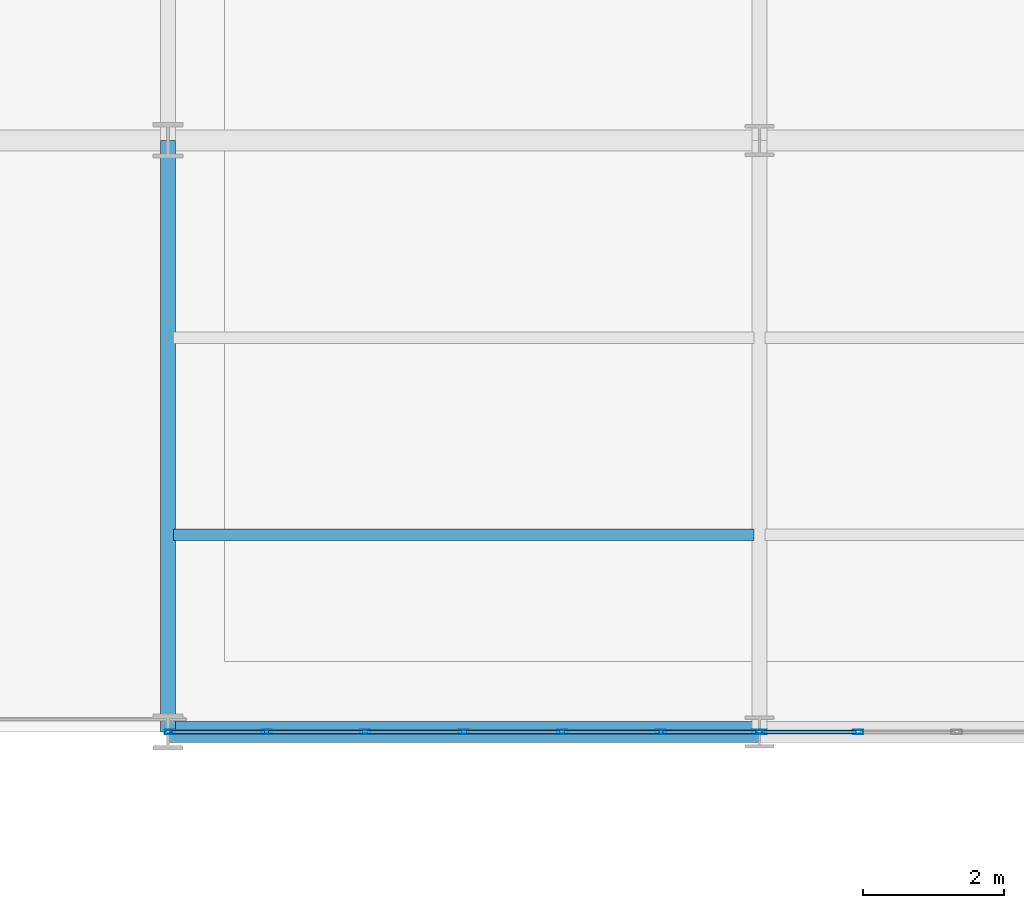
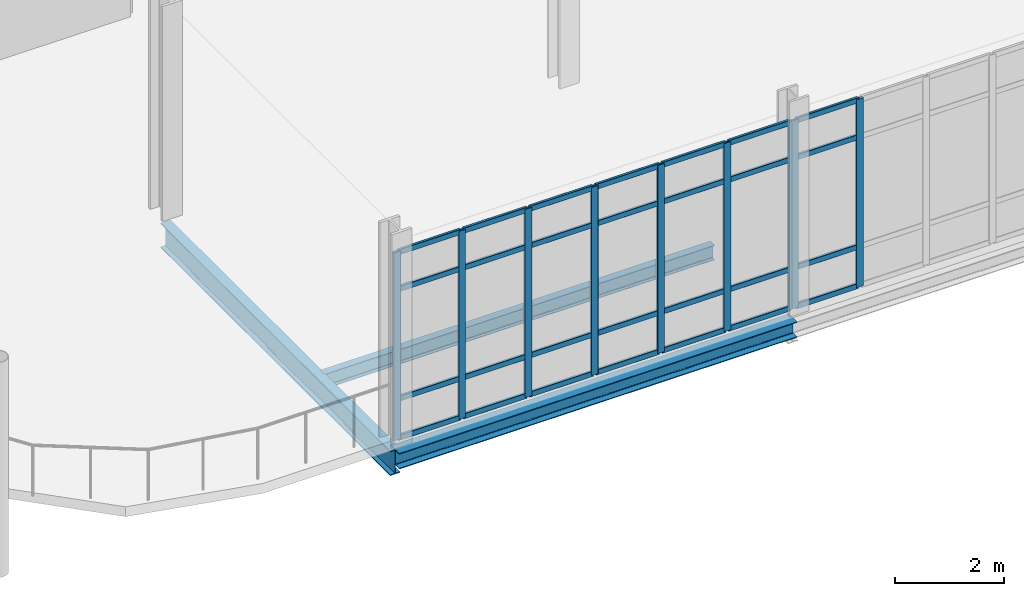
# One storey, part 72 of 145: 37 members, 3 beams, 2 elements without a shape of their own.
"""IFC4 building model written with IfcOpenShell, lengths in metres."""

from ifc_helpers import new_model, si_unit, direction, frame, origin, origin_2d, place, context, subcontext, project, spatial, hollow_rectangle, i_section, extrude, material, layer, layer_set, material_profile, profile_set, type_object, element, aggregate, save


model = new_model("IFC4")

# Units and contexts
model_context = context("Model", 3, precision=1e-05, world=origin(), true_north=direction((0.0, 1.0)))
body_context = subcontext(model_context, "Body", "Model", "MODEL_VIEW")
ifc_project = project(units=[si_unit("LENGTHUNIT", "METRE"), si_unit("AREAUNIT", "SQUARE_METRE"), si_unit("VOLUMEUNIT", "CUBIC_METRE"), si_unit("PLANEANGLEUNIT", "RADIAN"), si_unit("MASSUNIT", "GRAM", prefix="KILO")], contexts=[model_context])

# Site, building, storey
site_placement = place(None, origin())
site = spatial("IfcSite", under=ifc_project, at=site_placement, CompositionType="ELEMENT")
building_placement = place(site_placement, origin())
building = spatial("IfcBuilding", under=site, at=building_placement, Name="Qalvenar Corner Mobility Hub", CompositionType="ELEMENT")
storey_placement = place(building_placement, origin())
storey = spatial("IfcBuildingStorey", under=building, at=storey_placement, Name="L00", CompositionType="ELEMENT", Elevation=0.0)

# Beams
ifc_material_1 = material(Name="Steel S355", Category="steel")
ifc_material_profile_1 = material_profile(ifc_material_1, i_section(OverallWidth=0.2099609375, OverallDepth=0.550048828125, WebThickness=0.010986328125, FlangeThickness=0.01708984375, FilletRadius=0.02392578125, at=origin_2d()), Name="IPE550")
ifc_profile_set_1 = profile_set([ifc_material_profile_1], Name="Steel S355")
beam_type_1 = type_object("IfcBeamType", Name="BM-IPE550", PredefinedType="BEAM", material=ifc_profile_set_1)
beam_1_placement = place(storey_placement, frame((67.199951171875, 67.199951171875, -0.4951171875), z_axis=(0.0, 1.0, 0.0), x_axis=(-1.0, 0.0, 0.0)))
element("IfcBeam", 1, at=beam_1_placement, inside=storey, type_object=beam_type_1, Name="Primary Steel Girder GY-0593", PredefinedType="BEAM", context=body_context, shape_type="SweptSolid", body=[
    extrude(i_section(OverallWidth=0.2099609375, OverallDepth=0.550048828125, WebThickness=0.010986328125, FlangeThickness=0.01708984375, FilletRadius=0.02392578125, at=origin_2d()), origin(), (0.0, 0.0, 1.0), 8.400146484375),
])
ifc_material_profile_2 = material_profile(ifc_material_1, i_section(OverallWidth=0.159912109375, OverallDepth=0.330078125, WebThickness=0.007568359375, FlangeThickness=0.011474609375, FilletRadius=0.01806640625, at=origin_2d()), Name="IPE330")
ifc_profile_set_2 = profile_set([ifc_material_profile_2], Name="Steel S355")
beam_type_2 = type_object("IfcBeamType", Name="BM-JST330", PredefinedType="JOIST", material=ifc_profile_set_2)
beam_2_placement = place(storey_placement, frame((67.278076171875, 70.0, -0.385009765625), z_axis=(1.0, 0.0, 0.0), x_axis=(0.0, 1.0, 0.0)))
element("IfcBeam", 2, at=beam_2_placement, inside=storey, type_object=beam_type_2, Name="Composite Floor Joist J-0657", PredefinedType="JOIST", context=body_context, shape_type="SweptSolid", body=[
    extrude(i_section(OverallWidth=0.159912109375, OverallDepth=0.330078125, WebThickness=0.007568359375, FlangeThickness=0.011474609375, FilletRadius=0.01806640625, at=origin_2d()), origin(), (0.0, 0.0, 1.0), 8.243896484375),
])
ifc_material_profile_3 = material_profile(ifc_material_1, i_section(OverallWidth=0.300048828125, OverallDepth=0.35009765625, WebThickness=0.010009765625, FlangeThickness=0.017578125, FilletRadius=0.027099609375, at=origin_2d()), Name="HEA360")
ifc_profile_set_3 = profile_set([ifc_material_profile_3], Name="Steel S355")
beam_type_3 = type_object("IfcBeamType", Name="BM-SPN360", PredefinedType="SPANDREL", material=ifc_profile_set_3)
beam_3_placement = place(storey_placement, frame((67.199951171875, 67.199951171875, -0.39501953125), z_axis=(1.0, 0.0, 0.0), x_axis=(0.0, 1.0, 0.0)))
element("IfcBeam", 3, at=beam_3_placement, inside=storey, type_object=beam_type_3, Name="Primary Steel Girder GX-0523", PredefinedType="SPANDREL", context=body_context, shape_type="SweptSolid", body=[
    extrude(i_section(OverallWidth=0.300048828125, OverallDepth=0.35009765625, WebThickness=0.010009765625, FlangeThickness=0.017578125, FilletRadius=0.027099609375, at=origin_2d()), origin(), (0.0, 0.0, 1.0), 8.400146484375),
])

# Curtain wall, members
ifc_material_2 = material(Name="Anodised Aluminium and Low-E Glazing", Category="aluminium")
ifc_layer = layer(ifc_material_2, 0.14990234375)
ifc_layer_set = layer_set([ifc_layer], Name="Anodised Aluminium and Low-E Glazing")
curtain_wall_type = type_object("IfcCurtainWallType", Name="CW-MOB-84X46", PredefinedType="NOTDEFINED", material=ifc_layer_set)
curtain_wall_1_placement = place(storey_placement, origin())
curtain_wall_1 = element("IfcCurtainWall", 4, at=curtain_wall_1_placement, inside=storey, type_object=curtain_wall_type, Name="Glazed Curtain Wall CW-V4-L00-S1", PredefinedType="NOTDEFINED")
ifc_material_3 = material(Name="Anodised Aluminium 6063-T6", Category="aluminium")
ifc_material_profile_4 = material_profile(ifc_material_3, hollow_rectangle(XDim=0.06005859375, YDim=0.14990234375, WallThickness=0.00390625, InnerFilletRadius=0.00390625, OuterFilletRadius=0.008056640625, at=origin_2d()), Name="RHS150x60x4")
ifc_profile_set_4 = profile_set([ifc_material_profile_4], Name="Anodised Aluminium 6063-T6")
member_type_1 = type_object("IfcMemberType", Name="CW-MUL150", PredefinedType="MULLION", material=ifc_profile_set_4)
member_1_placement = place(storey_placement, frame((67.22998046875, 67.199951171875, 0.0), z_axis=(0.0, 0.0, 1.0), x_axis=(0.0, 1.0, 0.0)))
member_1 = element("IfcMember", 5, at=member_1_placement, type_object=member_type_1, Name="CW-03 mullion 1", PredefinedType="MULLION", context=body_context, shape_type="SweptSolid", body=[
    extrude(hollow_rectangle(XDim=0.06005859375, YDim=0.14990234375, WallThickness=0.00390625, InnerFilletRadius=0.00390625, OuterFilletRadius=0.008056640625, at=origin_2d()), origin(), (0.0, 0.0, 1.0), 4.199951171875),
])
member_2_placement = place(storey_placement, frame((68.60009765625, 67.199951171875, 0.0), z_axis=(0.0, 0.0, 1.0), x_axis=(0.0, 1.0, 0.0)))
member_2 = element("IfcMember", 6, at=member_2_placement, type_object=member_type_1, Name="CW-03 mullion 2", PredefinedType="MULLION", context=body_context, shape_type="SweptSolid", body=[
    extrude(hollow_rectangle(XDim=0.06005859375, YDim=0.14990234375, WallThickness=0.00390625, InnerFilletRadius=0.00390625, OuterFilletRadius=0.008056640625, at=origin_2d()), origin(), (0.0, 0.0, 1.0), 4.199951171875),
])
member_3_placement = place(storey_placement, frame((70.0, 67.199951171875, 0.0), z_axis=(0.0, 0.0, 1.0), x_axis=(0.0, 1.0, 0.0)))
member_3 = element("IfcMember", 7, at=member_3_placement, type_object=member_type_1, Name="CW-03 mullion 3", PredefinedType="MULLION", context=body_context, shape_type="SweptSolid", body=[
    extrude(hollow_rectangle(XDim=0.06005859375, YDim=0.14990234375, WallThickness=0.00390625, InnerFilletRadius=0.00390625, OuterFilletRadius=0.008056640625, at=origin_2d()), origin(), (0.0, 0.0, 1.0), 4.199951171875),
])
member_4_placement = place(storey_placement, frame((71.39990234375, 67.199951171875, 0.0), z_axis=(0.0, 0.0, 1.0), x_axis=(0.0, 1.0, 0.0)))
member_4 = element("IfcMember", 8, at=member_4_placement, type_object=member_type_1, Name="CW-03 mullion 4", PredefinedType="MULLION", context=body_context, shape_type="SweptSolid", body=[
    extrude(hollow_rectangle(XDim=0.06005859375, YDim=0.14990234375, WallThickness=0.00390625, InnerFilletRadius=0.00390625, OuterFilletRadius=0.008056640625, at=origin_2d()), origin(), (0.0, 0.0, 1.0), 4.199951171875),
])
member_5_placement = place(storey_placement, frame((72.800048828125, 67.199951171875, 0.0), z_axis=(0.0, 0.0, 1.0), x_axis=(0.0, 1.0, 0.0)))
member_5 = element("IfcMember", 9, at=member_5_placement, type_object=member_type_1, Name="CW-03 mullion 5", PredefinedType="MULLION", context=body_context, shape_type="SweptSolid", body=[
    extrude(hollow_rectangle(XDim=0.06005859375, YDim=0.14990234375, WallThickness=0.00390625, InnerFilletRadius=0.00390625, OuterFilletRadius=0.008056640625, at=origin_2d()), origin(), (0.0, 0.0, 1.0), 4.199951171875),
])
member_6_placement = place(storey_placement, frame((74.199951171875, 67.199951171875, 0.0), z_axis=(0.0, 0.0, 1.0), x_axis=(0.0, 1.0, 0.0)))
member_6 = element("IfcMember", 10, at=member_6_placement, type_object=member_type_1, Name="CW-03 mullion 6", PredefinedType="MULLION", context=body_context, shape_type="SweptSolid", body=[
    extrude(hollow_rectangle(XDim=0.06005859375, YDim=0.14990234375, WallThickness=0.00390625, InnerFilletRadius=0.00390625, OuterFilletRadius=0.008056640625, at=origin_2d()), origin(), (0.0, 0.0, 1.0), 4.199951171875),
])
member_7_placement = place(storey_placement, frame((75.570068359375, 67.199951171875, 0.0), z_axis=(0.0, 0.0, 1.0), x_axis=(0.0, 1.0, 0.0)))
member_7 = element("IfcMember", 11, at=member_7_placement, type_object=member_type_1, Name="CW-03 mullion 7", PredefinedType="MULLION", context=body_context, shape_type="SweptSolid", body=[
    extrude(hollow_rectangle(XDim=0.06005859375, YDim=0.14990234375, WallThickness=0.00390625, InnerFilletRadius=0.00390625, OuterFilletRadius=0.008056640625, at=origin_2d()), origin(), (0.0, 0.0, 1.0), 4.199951171875),
])

curtain_wall_2_placement = place(storey_placement, origin())
curtain_wall_2 = element("IfcCurtainWall", 12, at=curtain_wall_2_placement, inside=storey, type_object=curtain_wall_type, Name="Glazed Curtain Wall CW-V4-L00-S2", PredefinedType="NOTDEFINED")
member_8_placement = place(storey_placement, frame((75.6298828125, 67.199951171875, 0.0), z_axis=(0.0, 0.0, 1.0), x_axis=(0.0, 1.0, 0.0)))
member_8 = element("IfcMember", 13, at=member_8_placement, type_object=member_type_1, Name="CW-03 mullion 1", PredefinedType="MULLION", context=body_context, shape_type="SweptSolid", body=[
    extrude(hollow_rectangle(XDim=0.06005859375, YDim=0.14990234375, WallThickness=0.00390625, InnerFilletRadius=0.00390625, OuterFilletRadius=0.008056640625, at=origin_2d()), origin(), (0.0, 0.0, 1.0), 4.199951171875),
])
member_9_placement = place(storey_placement, frame((77.0, 67.199951171875, 0.0), z_axis=(0.0, 0.0, 1.0), x_axis=(0.0, 1.0, 0.0)))
member_9 = element("IfcMember", 14, at=member_9_placement, type_object=member_type_1, Name="CW-03 mullion 2", PredefinedType="MULLION", context=body_context, shape_type="SweptSolid", body=[
    extrude(hollow_rectangle(XDim=0.06005859375, YDim=0.14990234375, WallThickness=0.00390625, InnerFilletRadius=0.00390625, OuterFilletRadius=0.008056640625, at=origin_2d()), origin(), (0.0, 0.0, 1.0), 4.199951171875),
])

# Member
ifc_material_profile_5 = material_profile(ifc_material_3, hollow_rectangle(XDim=0.054931640625, YDim=0.1201171875, WallThickness=0.00341796875, InnerFilletRadius=0.00341796875, OuterFilletRadius=0.007080078125, at=origin_2d()), Name="RHS120x55x3.5")
ifc_profile_set_5 = profile_set([ifc_material_profile_5], Name="Anodised Aluminium 6063-T6")
member_type_2 = type_object("IfcMemberType", Name="CW-TRN120", PredefinedType="USERDEFINED", material=ifc_profile_set_5)
member_10_placement = place(storey_placement, frame((67.260009765625, 67.199951171875, 0.027587890625), z_axis=(1.0, 0.0, 0.0), x_axis=(0.0, 1.0, 0.0)))
member_10 = element("IfcMember", 15, at=member_10_placement, type_object=member_type_2, Name="CW-03 transom 1.1", ObjectType="TRANSOM", PredefinedType="USERDEFINED", context=body_context, shape_type="SweptSolid", body=[
    extrude(hollow_rectangle(XDim=0.054931640625, YDim=0.1201171875, WallThickness=0.00341796875, InnerFilletRadius=0.00341796875, OuterFilletRadius=0.007080078125, at=origin_2d()), origin(), (0.0, 0.0, 1.0), 1.31005859375),
])

member_11_placement = place(storey_placement, frame((67.260009765625, 67.199951171875, 0.89990234375), z_axis=(1.0, 0.0, 0.0), x_axis=(0.0, 1.0, 0.0)))
member_11 = element("IfcMember", 16, at=member_11_placement, type_object=member_type_2, Name="CW-03 transom 1.2", ObjectType="TRANSOM", PredefinedType="USERDEFINED", context=body_context, shape_type="SweptSolid", body=[
    extrude(hollow_rectangle(XDim=0.054931640625, YDim=0.1201171875, WallThickness=0.00341796875, InnerFilletRadius=0.00341796875, OuterFilletRadius=0.007080078125, at=origin_2d()), origin(), (0.0, 0.0, 1.0), 1.31005859375),
])

member_12_placement = place(storey_placement, frame((67.260009765625, 67.199951171875, 3.35009765625), z_axis=(1.0, 0.0, 0.0), x_axis=(0.0, 1.0, 0.0)))
member_12 = element("IfcMember", 17, at=member_12_placement, type_object=member_type_2, Name="CW-03 transom 1.3", ObjectType="TRANSOM", PredefinedType="USERDEFINED", context=body_context, shape_type="SweptSolid", body=[
    extrude(hollow_rectangle(XDim=0.054931640625, YDim=0.1201171875, WallThickness=0.00341796875, InnerFilletRadius=0.00341796875, OuterFilletRadius=0.007080078125, at=origin_2d()), origin(), (0.0, 0.0, 1.0), 1.31005859375),
])

member_13_placement = place(storey_placement, frame((67.260009765625, 67.199951171875, 4.172607421875), z_axis=(1.0, 0.0, 0.0), x_axis=(0.0, 1.0, 0.0)))
member_13 = element("IfcMember", 18, at=member_13_placement, type_object=member_type_2, Name="CW-03 transom 1.4", ObjectType="TRANSOM", PredefinedType="USERDEFINED", context=body_context, shape_type="SweptSolid", body=[
    extrude(hollow_rectangle(XDim=0.054931640625, YDim=0.1201171875, WallThickness=0.00341796875, InnerFilletRadius=0.00341796875, OuterFilletRadius=0.007080078125, at=origin_2d()), origin(), (0.0, 0.0, 1.0), 1.31005859375),
])

member_14_placement = place(storey_placement, frame((68.6298828125, 67.199951171875, 0.027587890625), z_axis=(1.0, 0.0, 0.0), x_axis=(0.0, 1.0, 0.0)))
member_14 = element("IfcMember", 19, at=member_14_placement, type_object=member_type_2, Name="CW-03 transom 2.1", ObjectType="TRANSOM", PredefinedType="USERDEFINED", context=body_context, shape_type="SweptSolid", body=[
    extrude(hollow_rectangle(XDim=0.054931640625, YDim=0.1201171875, WallThickness=0.00341796875, InnerFilletRadius=0.00341796875, OuterFilletRadius=0.007080078125, at=origin_2d()), origin(), (0.0, 0.0, 1.0), 1.340087890625),
])

member_15_placement = place(storey_placement, frame((68.6298828125, 67.199951171875, 0.89990234375), z_axis=(1.0, 0.0, 0.0), x_axis=(0.0, 1.0, 0.0)))
member_15 = element("IfcMember", 20, at=member_15_placement, type_object=member_type_2, Name="CW-03 transom 2.2", ObjectType="TRANSOM", PredefinedType="USERDEFINED", context=body_context, shape_type="SweptSolid", body=[
    extrude(hollow_rectangle(XDim=0.054931640625, YDim=0.1201171875, WallThickness=0.00341796875, InnerFilletRadius=0.00341796875, OuterFilletRadius=0.007080078125, at=origin_2d()), origin(), (0.0, 0.0, 1.0), 1.340087890625),
])

member_16_placement = place(storey_placement, frame((68.6298828125, 67.199951171875, 3.35009765625), z_axis=(1.0, 0.0, 0.0), x_axis=(0.0, 1.0, 0.0)))
member_16 = element("IfcMember", 21, at=member_16_placement, type_object=member_type_2, Name="CW-03 transom 2.3", ObjectType="TRANSOM", PredefinedType="USERDEFINED", context=body_context, shape_type="SweptSolid", body=[
    extrude(hollow_rectangle(XDim=0.054931640625, YDim=0.1201171875, WallThickness=0.00341796875, InnerFilletRadius=0.00341796875, OuterFilletRadius=0.007080078125, at=origin_2d()), origin(), (0.0, 0.0, 1.0), 1.340087890625),
])

member_17_placement = place(storey_placement, frame((68.6298828125, 67.199951171875, 4.172607421875), z_axis=(1.0, 0.0, 0.0), x_axis=(0.0, 1.0, 0.0)))
member_17 = element("IfcMember", 22, at=member_17_placement, type_object=member_type_2, Name="CW-03 transom 2.4", ObjectType="TRANSOM", PredefinedType="USERDEFINED", context=body_context, shape_type="SweptSolid", body=[
    extrude(hollow_rectangle(XDim=0.054931640625, YDim=0.1201171875, WallThickness=0.00341796875, InnerFilletRadius=0.00341796875, OuterFilletRadius=0.007080078125, at=origin_2d()), origin(), (0.0, 0.0, 1.0), 1.340087890625),
])

member_18_placement = place(storey_placement, frame((70.030029296875, 67.199951171875, 0.027587890625), z_axis=(1.0, 0.0, 0.0), x_axis=(0.0, 1.0, 0.0)))
member_18 = element("IfcMember", 23, at=member_18_placement, type_object=member_type_2, Name="CW-03 transom 3.1", ObjectType="TRANSOM", PredefinedType="USERDEFINED", context=body_context, shape_type="SweptSolid", body=[
    extrude(hollow_rectangle(XDim=0.054931640625, YDim=0.1201171875, WallThickness=0.00341796875, InnerFilletRadius=0.00341796875, OuterFilletRadius=0.007080078125, at=origin_2d()), origin(), (0.0, 0.0, 1.0), 1.340087890625),
])

member_19_placement = place(storey_placement, frame((70.030029296875, 67.199951171875, 0.89990234375), z_axis=(1.0, 0.0, 0.0), x_axis=(0.0, 1.0, 0.0)))
member_19 = element("IfcMember", 24, at=member_19_placement, type_object=member_type_2, Name="CW-03 transom 3.2", ObjectType="TRANSOM", PredefinedType="USERDEFINED", context=body_context, shape_type="SweptSolid", body=[
    extrude(hollow_rectangle(XDim=0.054931640625, YDim=0.1201171875, WallThickness=0.00341796875, InnerFilletRadius=0.00341796875, OuterFilletRadius=0.007080078125, at=origin_2d()), origin(), (0.0, 0.0, 1.0), 1.340087890625),
])

member_20_placement = place(storey_placement, frame((70.030029296875, 67.199951171875, 3.35009765625), z_axis=(1.0, 0.0, 0.0), x_axis=(0.0, 1.0, 0.0)))
member_20 = element("IfcMember", 25, at=member_20_placement, type_object=member_type_2, Name="CW-03 transom 3.3", ObjectType="TRANSOM", PredefinedType="USERDEFINED", context=body_context, shape_type="SweptSolid", body=[
    extrude(hollow_rectangle(XDim=0.054931640625, YDim=0.1201171875, WallThickness=0.00341796875, InnerFilletRadius=0.00341796875, OuterFilletRadius=0.007080078125, at=origin_2d()), origin(), (0.0, 0.0, 1.0), 1.340087890625),
])

member_21_placement = place(storey_placement, frame((70.030029296875, 67.199951171875, 4.172607421875), z_axis=(1.0, 0.0, 0.0), x_axis=(0.0, 1.0, 0.0)))
member_21 = element("IfcMember", 26, at=member_21_placement, type_object=member_type_2, Name="CW-03 transom 3.4", ObjectType="TRANSOM", PredefinedType="USERDEFINED", context=body_context, shape_type="SweptSolid", body=[
    extrude(hollow_rectangle(XDim=0.054931640625, YDim=0.1201171875, WallThickness=0.00341796875, InnerFilletRadius=0.00341796875, OuterFilletRadius=0.007080078125, at=origin_2d()), origin(), (0.0, 0.0, 1.0), 1.340087890625),
])

member_22_placement = place(storey_placement, frame((71.429931640625, 67.199951171875, 0.027587890625), z_axis=(1.0, 0.0, 0.0), x_axis=(0.0, 1.0, 0.0)))
member_22 = element("IfcMember", 27, at=member_22_placement, type_object=member_type_2, Name="CW-03 transom 4.1", ObjectType="TRANSOM", PredefinedType="USERDEFINED", context=body_context, shape_type="SweptSolid", body=[
    extrude(hollow_rectangle(XDim=0.054931640625, YDim=0.1201171875, WallThickness=0.00341796875, InnerFilletRadius=0.00341796875, OuterFilletRadius=0.007080078125, at=origin_2d()), origin(), (0.0, 0.0, 1.0), 1.340087890625),
])

member_23_placement = place(storey_placement, frame((71.429931640625, 67.199951171875, 0.89990234375), z_axis=(1.0, 0.0, 0.0), x_axis=(0.0, 1.0, 0.0)))
member_23 = element("IfcMember", 28, at=member_23_placement, type_object=member_type_2, Name="CW-03 transom 4.2", ObjectType="TRANSOM", PredefinedType="USERDEFINED", context=body_context, shape_type="SweptSolid", body=[
    extrude(hollow_rectangle(XDim=0.054931640625, YDim=0.1201171875, WallThickness=0.00341796875, InnerFilletRadius=0.00341796875, OuterFilletRadius=0.007080078125, at=origin_2d()), origin(), (0.0, 0.0, 1.0), 1.340087890625),
])

member_24_placement = place(storey_placement, frame((71.429931640625, 67.199951171875, 3.35009765625), z_axis=(1.0, 0.0, 0.0), x_axis=(0.0, 1.0, 0.0)))
member_24 = element("IfcMember", 29, at=member_24_placement, type_object=member_type_2, Name="CW-03 transom 4.3", ObjectType="TRANSOM", PredefinedType="USERDEFINED", context=body_context, shape_type="SweptSolid", body=[
    extrude(hollow_rectangle(XDim=0.054931640625, YDim=0.1201171875, WallThickness=0.00341796875, InnerFilletRadius=0.00341796875, OuterFilletRadius=0.007080078125, at=origin_2d()), origin(), (0.0, 0.0, 1.0), 1.340087890625),
])

member_25_placement = place(storey_placement, frame((71.429931640625, 67.199951171875, 4.172607421875), z_axis=(1.0, 0.0, 0.0), x_axis=(0.0, 1.0, 0.0)))
member_25 = element("IfcMember", 30, at=member_25_placement, type_object=member_type_2, Name="CW-03 transom 4.4", ObjectType="TRANSOM", PredefinedType="USERDEFINED", context=body_context, shape_type="SweptSolid", body=[
    extrude(hollow_rectangle(XDim=0.054931640625, YDim=0.1201171875, WallThickness=0.00341796875, InnerFilletRadius=0.00341796875, OuterFilletRadius=0.007080078125, at=origin_2d()), origin(), (0.0, 0.0, 1.0), 1.340087890625),
])

member_26_placement = place(storey_placement, frame((72.830078125, 67.199951171875, 0.027587890625), z_axis=(1.0, 0.0, 0.0), x_axis=(0.0, 1.0, 0.0)))
member_26 = element("IfcMember", 31, at=member_26_placement, type_object=member_type_2, Name="CW-03 transom 5.1", ObjectType="TRANSOM", PredefinedType="USERDEFINED", context=body_context, shape_type="SweptSolid", body=[
    extrude(hollow_rectangle(XDim=0.054931640625, YDim=0.1201171875, WallThickness=0.00341796875, InnerFilletRadius=0.00341796875, OuterFilletRadius=0.007080078125, at=origin_2d()), origin(), (0.0, 0.0, 1.0), 1.33984375),
])

member_27_placement = place(storey_placement, frame((72.830078125, 67.199951171875, 0.89990234375), z_axis=(1.0, 0.0, 0.0), x_axis=(0.0, 1.0, 0.0)))
member_27 = element("IfcMember", 32, at=member_27_placement, type_object=member_type_2, Name="CW-03 transom 5.2", ObjectType="TRANSOM", PredefinedType="USERDEFINED", context=body_context, shape_type="SweptSolid", body=[
    extrude(hollow_rectangle(XDim=0.054931640625, YDim=0.1201171875, WallThickness=0.00341796875, InnerFilletRadius=0.00341796875, OuterFilletRadius=0.007080078125, at=origin_2d()), origin(), (0.0, 0.0, 1.0), 1.33984375),
])

member_28_placement = place(storey_placement, frame((72.830078125, 67.199951171875, 3.35009765625), z_axis=(1.0, 0.0, 0.0), x_axis=(0.0, 1.0, 0.0)))
member_28 = element("IfcMember", 33, at=member_28_placement, type_object=member_type_2, Name="CW-03 transom 5.3", ObjectType="TRANSOM", PredefinedType="USERDEFINED", context=body_context, shape_type="SweptSolid", body=[
    extrude(hollow_rectangle(XDim=0.054931640625, YDim=0.1201171875, WallThickness=0.00341796875, InnerFilletRadius=0.00341796875, OuterFilletRadius=0.007080078125, at=origin_2d()), origin(), (0.0, 0.0, 1.0), 1.33984375),
])

member_29_placement = place(storey_placement, frame((72.830078125, 67.199951171875, 4.172607421875), z_axis=(1.0, 0.0, 0.0), x_axis=(0.0, 1.0, 0.0)))
member_29 = element("IfcMember", 34, at=member_29_placement, type_object=member_type_2, Name="CW-03 transom 5.4", ObjectType="TRANSOM", PredefinedType="USERDEFINED", context=body_context, shape_type="SweptSolid", body=[
    extrude(hollow_rectangle(XDim=0.054931640625, YDim=0.1201171875, WallThickness=0.00341796875, InnerFilletRadius=0.00341796875, OuterFilletRadius=0.007080078125, at=origin_2d()), origin(), (0.0, 0.0, 1.0), 1.33984375),
])

member_30_placement = place(storey_placement, frame((74.22998046875, 67.199951171875, 0.027587890625), z_axis=(1.0, 0.0, 0.0), x_axis=(0.0, 1.0, 0.0)))
member_30 = element("IfcMember", 35, at=member_30_placement, type_object=member_type_2, Name="CW-03 transom 6.1", ObjectType="TRANSOM", PredefinedType="USERDEFINED", context=body_context, shape_type="SweptSolid", body=[
    extrude(hollow_rectangle(XDim=0.054931640625, YDim=0.1201171875, WallThickness=0.00341796875, InnerFilletRadius=0.00341796875, OuterFilletRadius=0.007080078125, at=origin_2d()), origin(), (0.0, 0.0, 1.0), 1.31005859375),
])

member_31_placement = place(storey_placement, frame((74.22998046875, 67.199951171875, 0.89990234375), z_axis=(1.0, 0.0, 0.0), x_axis=(0.0, 1.0, 0.0)))
member_31 = element("IfcMember", 36, at=member_31_placement, type_object=member_type_2, Name="CW-03 transom 6.2", ObjectType="TRANSOM", PredefinedType="USERDEFINED", context=body_context, shape_type="SweptSolid", body=[
    extrude(hollow_rectangle(XDim=0.054931640625, YDim=0.1201171875, WallThickness=0.00341796875, InnerFilletRadius=0.00341796875, OuterFilletRadius=0.007080078125, at=origin_2d()), origin(), (0.0, 0.0, 1.0), 1.31005859375),
])

member_32_placement = place(storey_placement, frame((74.22998046875, 67.199951171875, 3.35009765625), z_axis=(1.0, 0.0, 0.0), x_axis=(0.0, 1.0, 0.0)))
member_32 = element("IfcMember", 37, at=member_32_placement, type_object=member_type_2, Name="CW-03 transom 6.3", ObjectType="TRANSOM", PredefinedType="USERDEFINED", context=body_context, shape_type="SweptSolid", body=[
    extrude(hollow_rectangle(XDim=0.054931640625, YDim=0.1201171875, WallThickness=0.00341796875, InnerFilletRadius=0.00341796875, OuterFilletRadius=0.007080078125, at=origin_2d()), origin(), (0.0, 0.0, 1.0), 1.31005859375),
])

member_33_placement = place(storey_placement, frame((74.22998046875, 67.199951171875, 4.172607421875), z_axis=(1.0, 0.0, 0.0), x_axis=(0.0, 1.0, 0.0)))
member_33 = element("IfcMember", 38, at=member_33_placement, type_object=member_type_2, Name="CW-03 transom 6.4", ObjectType="TRANSOM", PredefinedType="USERDEFINED", context=body_context, shape_type="SweptSolid", body=[
    extrude(hollow_rectangle(XDim=0.054931640625, YDim=0.1201171875, WallThickness=0.00341796875, InnerFilletRadius=0.00341796875, OuterFilletRadius=0.007080078125, at=origin_2d()), origin(), (0.0, 0.0, 1.0), 1.31005859375),
])

aggregate(curtain_wall_1, [member_1, member_2, member_3, member_4, member_5, member_6, member_7, member_10, member_11, member_12, member_13, member_14, member_15, member_16, member_17, member_18, member_19, member_20, member_21, member_22, member_23, member_24, member_25, member_26, member_27, member_28, member_29, member_30, member_31, member_32, member_33])

member_34_placement = place(storey_placement, frame((75.659912109375, 67.199951171875, 0.027587890625), z_axis=(1.0, 0.0, 0.0), x_axis=(0.0, 1.0, 0.0)))
member_34 = element("IfcMember", 39, at=member_34_placement, type_object=member_type_2, Name="CW-03 transom 1.1", ObjectType="TRANSOM", PredefinedType="USERDEFINED", context=body_context, shape_type="SweptSolid", body=[
    extrude(hollow_rectangle(XDim=0.054931640625, YDim=0.1201171875, WallThickness=0.00341796875, InnerFilletRadius=0.00341796875, OuterFilletRadius=0.007080078125, at=origin_2d()), origin(), (0.0, 0.0, 1.0), 1.31005859375),
])

member_35_placement = place(storey_placement, frame((75.659912109375, 67.199951171875, 0.89990234375), z_axis=(1.0, 0.0, 0.0), x_axis=(0.0, 1.0, 0.0)))
member_35 = element("IfcMember", 40, at=member_35_placement, type_object=member_type_2, Name="CW-03 transom 1.2", ObjectType="TRANSOM", PredefinedType="USERDEFINED", context=body_context, shape_type="SweptSolid", body=[
    extrude(hollow_rectangle(XDim=0.054931640625, YDim=0.1201171875, WallThickness=0.00341796875, InnerFilletRadius=0.00341796875, OuterFilletRadius=0.007080078125, at=origin_2d()), origin(), (0.0, 0.0, 1.0), 1.31005859375),
])

member_36_placement = place(storey_placement, frame((75.659912109375, 67.199951171875, 3.35009765625), z_axis=(1.0, 0.0, 0.0), x_axis=(0.0, 1.0, 0.0)))
member_36 = element("IfcMember", 41, at=member_36_placement, type_object=member_type_2, Name="CW-03 transom 1.3", ObjectType="TRANSOM", PredefinedType="USERDEFINED", context=body_context, shape_type="SweptSolid", body=[
    extrude(hollow_rectangle(XDim=0.054931640625, YDim=0.1201171875, WallThickness=0.00341796875, InnerFilletRadius=0.00341796875, OuterFilletRadius=0.007080078125, at=origin_2d()), origin(), (0.0, 0.0, 1.0), 1.31005859375),
])

member_37_placement = place(storey_placement, frame((75.659912109375, 67.199951171875, 4.172607421875), z_axis=(1.0, 0.0, 0.0), x_axis=(0.0, 1.0, 0.0)))
member_37 = element("IfcMember", 42, at=member_37_placement, type_object=member_type_2, Name="CW-03 transom 1.4", ObjectType="TRANSOM", PredefinedType="USERDEFINED", context=body_context, shape_type="SweptSolid", body=[
    extrude(hollow_rectangle(XDim=0.054931640625, YDim=0.1201171875, WallThickness=0.00341796875, InnerFilletRadius=0.00341796875, OuterFilletRadius=0.007080078125, at=origin_2d()), origin(), (0.0, 0.0, 1.0), 1.31005859375),
])

aggregate(curtain_wall_2, [member_8, member_9, member_34, member_35, member_36, member_37])

save(model, "model.ifc")
